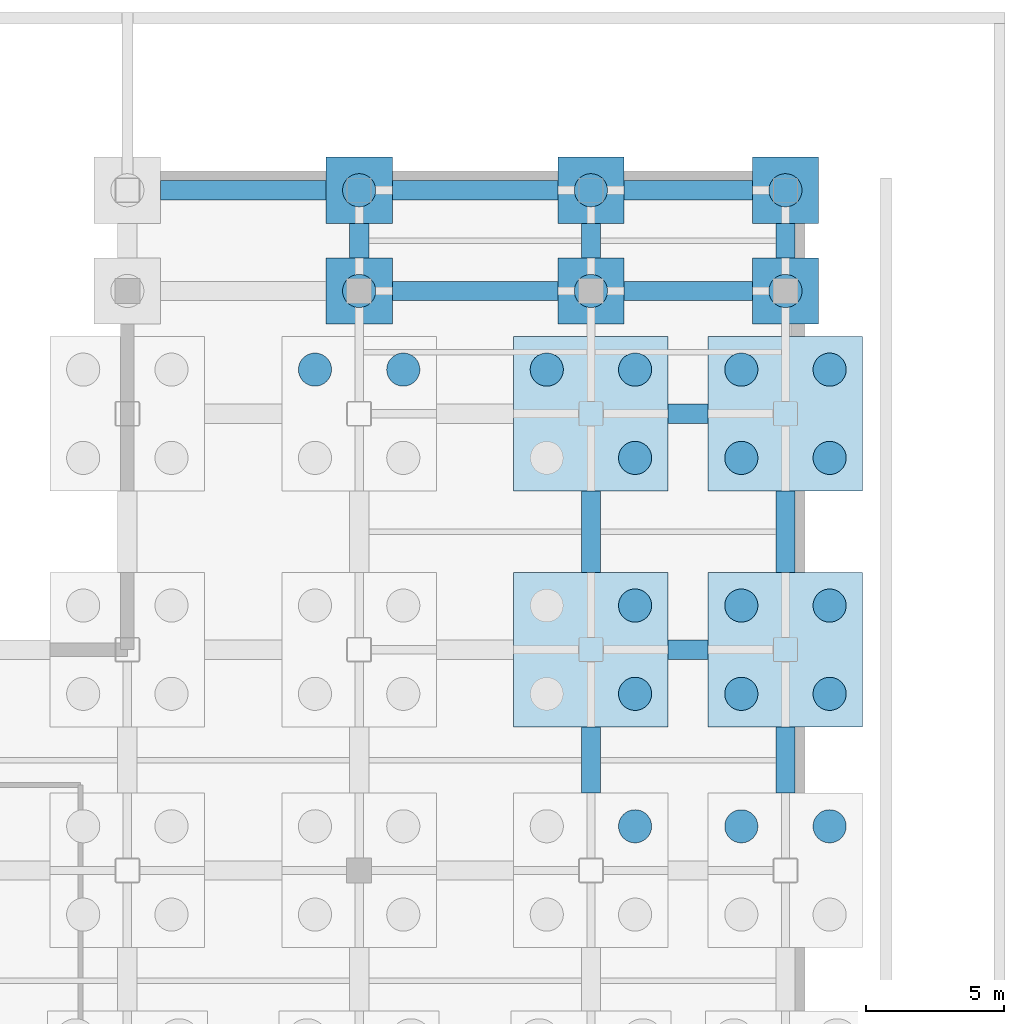
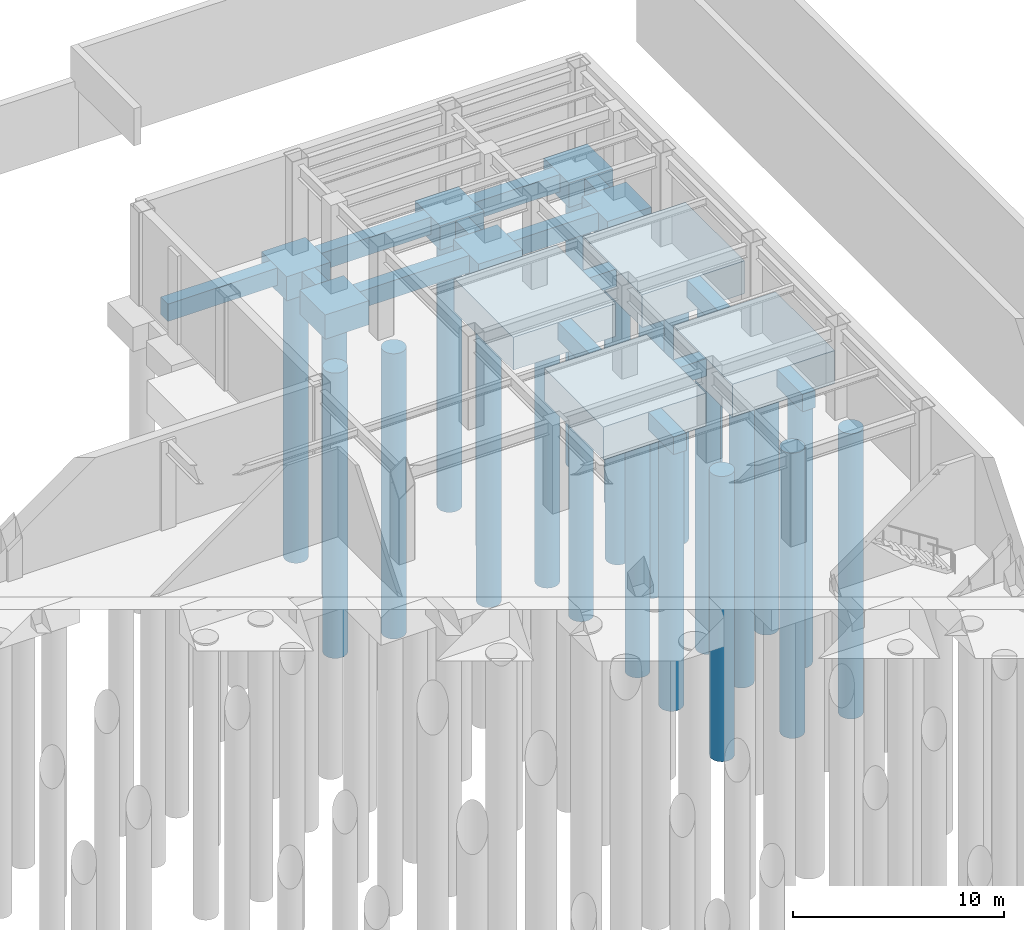
# One storey, part 14 of 55: 24 footings, 24 piles.
"""IFC4 building model written with IfcOpenShell, lengths in metres."""

import ifcopenshell
import ifcopenshell.guid

model = None  # the IFC model being written
_history = None  # IfcOwnerHistory: only IFC2X3 demands one
_inside = {}  # id of a spatial element -> (the spatial element, [elements in it])
_under = {}  # id of a project, library or spatial element -> (it, [spatial elements below it])
_declared = {}  # id of a project -> (the project, [libraries it declares])
_typed = {}  # id of a type object -> (the type object, [elements of that type])
_made_of = {}  # id of a material, layer set ... -> (it, [elements and type objects made of it])


def new_model(schema):
    """Start an empty IFC model of exactly this schema.

    Asked for "IFC4X3", IfcOpenShell would pick the latest addendum, in which some entities
    have other attributes; the version numbers below select the first issue.
    IFC2X3 requires an IfcOwnerHistory on every rooted entity: one is made here for all.
    """
    global model, _history
    if schema == "IFC4X3":
        model = ifcopenshell.file(schema_version=(4, 3, 0, 0))
    else:
        model = ifcopenshell.file(schema=schema)
    _inside.clear()
    _under.clear()
    _declared.clear()
    _typed.clear()
    _made_of.clear()
    _history = None
    if model.schema == "IFC2X3":
        org = make("IfcOrganization", Name="unknown")
        user = make(
            "IfcPersonAndOrganization",
            ThePerson=make("IfcPerson", FamilyName="unknown"),
            TheOrganization=org,
        )
        app = make(
            "IfcApplication",
            ApplicationDeveloper=org,
            Version="unknown",
            ApplicationFullName="unknown",
            ApplicationIdentifier="unknown",
        )
        _history = make(
            "IfcOwnerHistory",
            OwningUser=user,
            OwningApplication=app,
            ChangeAction="ADDED",
            CreationDate=0,
        )
    return model


def make(cls, **values):
    """One entity of the class cls with the attributes given. An attribute that is None is left unset."""
    return model.create_entity(
        cls, **{name: value for name, value in values.items() if value is not None}
    )


def rooted(cls, **values):
    """An entity with a GlobalId (a new one), such as an element, a storey or a relation."""
    return make(cls, GlobalId=ifcopenshell.guid.new(), OwnerHistory=_history, **values)


def si_unit(unit_type, name, prefix=None):
    """IfcSIUnit, for example si_unit("LENGTHUNIT", "METRE", prefix="MILLI")."""
    return make("IfcSIUnit", UnitType=unit_type, Prefix=prefix, Name=name)


def assignment(units):
    """IfcUnitAssignment: the units of a project."""
    return None if units is None else make("IfcUnitAssignment", Units=units)


def point(xyz):
    """IfcCartesianPoint."""
    return None if xyz is None else make("IfcCartesianPoint", Coordinates=xyz)


def direction(xyz):
    """IfcDirection."""
    return None if xyz is None else make("IfcDirection", DirectionRatios=xyz)


def frame(location, z_axis=None, x_axis=None):
    """IfcAxis2Placement3D, a coordinate frame: its origin and axes. An axis left out is left unset."""
    return make(
        "IfcAxis2Placement3D",
        Location=point(location),
        Axis=direction(z_axis),
        RefDirection=direction(x_axis),
    )


def frame_2d(location, x_axis=None):
    """IfcAxis2Placement2D, a coordinate frame in the plane: its origin and x axis."""
    return make(
        "IfcAxis2Placement2D", Location=point(location), RefDirection=direction(x_axis)
    )


def origin():
    """The frame at (0, 0, 0) with its axes left unset."""
    return frame((0.0, 0.0, 0.0))


def origin_2d():
    """The frame at (0, 0) in the plane with its x axis left unset."""
    return frame_2d((0.0, 0.0))


def place(relative_to, where):
    """IfcLocalPlacement: puts the frame where relative to a parent placement (None: the world)."""
    return make(
        "IfcLocalPlacement", PlacementRelTo=relative_to, RelativePlacement=where
    )


def context(
    kind, dimensions, precision=None, world=None, true_north=None, identifier=None
):
    """IfcGeometricRepresentationContext, for example the 3D "Model" context."""
    return make(
        "IfcGeometricRepresentationContext",
        ContextIdentifier=identifier,
        ContextType=kind,
        CoordinateSpaceDimension=dimensions,
        Precision=precision,
        WorldCoordinateSystem=world,
        TrueNorth=true_north,
    )


def subcontext(parent, identifier, kind, view, scale=None):
    """IfcGeometricRepresentationSubContext, for example "Body" below "Model"."""
    return make(
        "IfcGeometricRepresentationSubContext",
        ContextIdentifier=identifier,
        ContextType=kind,
        ParentContext=parent,
        TargetScale=scale,
        TargetView=view,
    )


def project(units=None, contexts=None):
    """IfcProject with its units and contexts."""
    return rooted(
        "IfcProject",
        Name="project",
        RepresentationContexts=contexts,
        UnitsInContext=assignment(units),
    )


def spatial(cls, under=None, at=None, **own):
    """A site, building, storey or space (cls), placed at a placement, below another one or the project."""
    s = rooted(cls, ObjectPlacement=at, **own)
    if under is not None:
        _under.setdefault(under.id(), (under, []))[1].append(s)
    return s


def profile(cls, at=None, kind="AREA", **sizes):
    """A parametric profile (cls). Its sizes go by their IFC names, for example OverallWidth=200.0."""
    return make(cls, ProfileType=kind, Position=at, **sizes)


def rectangle(**sizes):
    """IfcRectangleProfileDef."""
    return profile("IfcRectangleProfileDef", **sizes)


def circle(**sizes):
    """IfcCircleProfileDef."""
    return profile("IfcCircleProfileDef", **sizes)


def extrude(swept, where, along, depth):
    """IfcExtrudedAreaSolid: the profile swept, set in the frame where, extruded along a direction by depth."""
    return make(
        "IfcExtrudedAreaSolid",
        SweptArea=swept,
        Position=where,
        ExtrudedDirection=direction(along),
        Depth=depth,
    )


def shape(context_of_items, identifier, shape_type, items):
    """IfcShapeRepresentation: the items that make up one representation, for example the "Body"."""
    return make(
        "IfcShapeRepresentation",
        ContextOfItems=context_of_items,
        RepresentationIdentifier=identifier,
        RepresentationType=shape_type,
        Items=items,
    )


def material(Name=None, Category=None):
    """IfcMaterial."""
    return make("IfcMaterial", Name=Name, Category=Category)


def layer(
    of_material, thickness, ventilated=None, Name=None, Category=None, Priority=None
):
    """IfcMaterialLayer: one layer of a wall or slab, of a material (None: an air gap)."""
    return make(
        "IfcMaterialLayer",
        Material=of_material,
        LayerThickness=thickness,
        IsVentilated=ventilated,
        Name=Name,
        Category=Category,
        Priority=Priority,
    )


def layer_set(layers, Name=None):
    """IfcMaterialLayerSet."""
    return make("IfcMaterialLayerSet", MaterialLayers=layers, LayerSetName=Name)


def material_profile(
    of_material, cross_section, Name=None, Category=None, Priority=None
):
    """IfcMaterialProfile: a cross section and its material."""
    return make(
        "IfcMaterialProfile",
        Name=Name,
        Material=of_material,
        Profile=cross_section,
        Priority=Priority,
        Category=Category,
    )


def profile_set(profiles, Name=None, composite=None):
    """IfcMaterialProfileSet."""
    return make(
        "IfcMaterialProfileSet",
        Name=Name,
        MaterialProfiles=profiles,
        CompositeProfile=composite,
    )


def made_of(thing, what):
    """Note that an element or type object is made of a material, layer set ...; save() writes the relation."""
    if what is not None:
        _made_of.setdefault(what.id(), (what, []))[1].append(thing)
    return thing


def type_object(cls, material=None, **own):
    """A type object (cls), such as IfcWallType, which elements share."""
    return made_of(rooted(cls, **own), material)


def element(
    cls,
    number,
    at=None,
    inside=None,
    cuts=None,
    type_object=None,
    material=None,
    context=None,
    identifier="Body",
    shape_type=None,
    held_by="IfcProductDefinitionShape",
    body=None,
    shapes=None,
    **own,
):
    """One element of the class cls, such as IfcWall. Its Tag is "e" and its number.

    at: its placement. inside: the storey or other place that contains it. cuts: it is an
    opening in that element (IfcRelVoidsElement). A single representation is given by context,
    identifier, shape_type and body (its items); several are given by shapes. held_by: the class
    of the entity that holds the representations. save() writes the other relations.
    """
    e = rooted(cls, Tag="e%d" % number, ObjectPlacement=at, **own)
    if body is not None:
        shapes = [shape(context, identifier, shape_type, body)]
    if shapes is not None:
        e.Representation = make(held_by, Representations=shapes)
    if inside is not None:
        _inside.setdefault(inside.id(), (inside, []))[1].append(e)
    if cuts is not None:
        rooted(
            "IfcRelVoidsElement", RelatingBuildingElement=cuts, RelatedOpeningElement=e
        )
    if type_object is not None:
        _typed.setdefault(type_object.id(), (type_object, []))[1].append(e)
    return made_of(e, material)


def aggregate(whole, parts):
    """IfcRelAggregates: a whole, such as a stair, and the parts it consists of."""
    return rooted("IfcRelAggregates", RelatingObject=whole, RelatedObjects=parts)


def save(model, path):
    """Write the relations noted so far, then the file.

    IfcRelAggregates (storeys below a building ...), IfcRelContainedInSpatialStructure (elements
    in a storey), IfcRelDefinesByType, IfcRelAssociatesMaterial and IfcRelDeclares: one each for
    every whole, place, type object, material and project.
    """
    for whole, parts in _under.values():
        aggregate(whole, parts)
    for where, things in _inside.values():
        rooted(
            "IfcRelContainedInSpatialStructure",
            RelatedElements=things,
            RelatingStructure=where,
        )
    for kind, things in _typed.values():
        rooted("IfcRelDefinesByType", RelatedObjects=things, RelatingType=kind)
    for what, things in _made_of.values():
        rooted("IfcRelAssociatesMaterial", RelatedObjects=things, RelatingMaterial=what)
    for by, libraries in _declared.values():
        rooted("IfcRelDeclares", RelatingContext=by, RelatedDefinitions=libraries)
    model.write(path)


model = new_model("IFC4")

# Units and contexts
model_context = context("Model", 3, precision=1e-05, world=origin(), true_north=direction((0.0, 1.0)))
body_context = subcontext(model_context, "Body", "Model", "MODEL_VIEW")
ifc_project = project(units=[si_unit("LENGTHUNIT", "METRE"), si_unit("AREAUNIT", "SQUARE_METRE"), si_unit("VOLUMEUNIT", "CUBIC_METRE"), si_unit("PLANEANGLEUNIT", "RADIAN"), si_unit("MASSUNIT", "GRAM", prefix="KILO")], contexts=[model_context])

# Site, building, storey
site_placement = place(None, origin())
site = spatial("IfcSite", under=ifc_project, at=site_placement, CompositionType="ELEMENT")
building_placement = place(site_placement, origin())
building = spatial("IfcBuilding", under=site, at=building_placement, Name="Kazehara Bluff Congress Hotel", CompositionType="ELEMENT")
storey_placement = place(building_placement, frame((0.0, 0.0, -5.39990234375)))
storey = spatial("IfcBuildingStorey", under=building, at=storey_placement, Name="B1", CompositionType="ELEMENT", Elevation=-5.39990234375)

# Footings
ifc_material_1 = material(Name="Concrete C36/45", Category="concrete")
ifc_material_profile_1 = material_profile(ifc_material_1, rectangle(XDim=0.699951171875, YDim=1.0, at=origin_2d()))
ifc_profile_set_1 = profile_set([ifc_material_profile_1], Name="Concrete C36/45")
footing_type_1 = type_object("IfcFootingType", Name="TP-FB-02", PredefinedType="FOOTING_BEAM", material=ifc_profile_set_1)
for number, where, z_axis, x_axis, name in (
    (1, (163.300048828125, 96.89990234375, -1.0), (1.0, 0.0, 0.0), (0.0, 1.0, 0.0), "Foundation tie beam FB-02 217"),
    (2, (163.300048828125, 105.449951171875, -1.0), (1.0, 0.0, 0.0), (0.0, 1.0, 0.0), "Foundation tie beam FB-02 231"),
):
    element("IfcFooting", number, at=place(storey_placement, frame(where, z_axis=z_axis, x_axis=x_axis)), inside=storey, type_object=footing_type_1, Name=name, PredefinedType="FOOTING_BEAM", context=body_context, shape_type="SweptSolid", body=[
        extrude(rectangle(XDim=0.699951171875, YDim=1.0, at=origin_2d()), origin(), (0.0, 0.0, 1.0), 1.449951171875),
    ])
footing_1_placement = place(storey_placement, frame((153.300048828125, 109.89990234375, -1.0), z_axis=(1.0, 0.0, 0.0), x_axis=(0.0, 1.0, 0.0)))
element("IfcFooting", 3, at=footing_1_placement, inside=storey, type_object=footing_type_1, Name="Foundation tie beam FB-02 241", PredefinedType="FOOTING_BEAM", context=body_context, shape_type="SweptSolid", body=[
    extrude(rectangle(XDim=0.699951171875, YDim=1.0, at=origin_2d()), origin(), (0.0, 0.0, 1.0), 6.0),
])
footing_2_placement = place(storey_placement, frame((161.699951171875, 109.89990234375, -1.0), z_axis=(1.0, 0.0, 0.0), x_axis=(0.0, 1.0, 0.0)))
element("IfcFooting", 4, at=footing_2_placement, inside=storey, type_object=footing_type_1, Name="Foundation tie beam FB-02 242", PredefinedType="FOOTING_BEAM", context=body_context, shape_type="SweptSolid", body=[
    extrude(rectangle(XDim=0.699951171875, YDim=1.0, at=origin_2d()), origin(), (0.0, 0.0, 1.0), 4.650146484375),
])
for number, where, z_axis, x_axis, name in (
    (5, (144.89990234375, 113.550048828125, -1.0), (1.0, 0.0, 0.0), (0.0, 1.0, 0.0), "Foundation tie beam FB-02 246"),
    (6, (153.300048828125, 113.550048828125, -1.0), (1.0, 0.0, 0.0), (0.0, 1.0, 0.0), "Foundation tie beam FB-02 247"),
):
    element("IfcFooting", number, at=place(storey_placement, frame(where, z_axis=z_axis, x_axis=x_axis)), inside=storey, type_object=footing_type_1, Name=name, PredefinedType="FOOTING_BEAM", context=body_context, shape_type="SweptSolid", body=[
        extrude(rectangle(XDim=0.699951171875, YDim=1.0, at=origin_2d()), origin(), (0.0, 0.0, 1.0), 6.0),
    ])
footing_3_placement = place(storey_placement, frame((161.699951171875, 113.550048828125, -1.0), z_axis=(1.0, 0.0, 0.0), x_axis=(0.0, 1.0, 0.0)))
element("IfcFooting", 7, at=footing_3_placement, inside=storey, type_object=footing_type_1, Name="Foundation tie beam FB-02 248", PredefinedType="FOOTING_BEAM", context=body_context, shape_type="SweptSolid", body=[
    extrude(rectangle(XDim=0.699951171875, YDim=1.0, at=origin_2d()), origin(), (0.0, 0.0, 1.0), 4.650146484375),
])
footing_4_placement = place(storey_placement, frame((152.10009765625, 111.10009765625, -1.0), z_axis=(0.0, 1.0, 0.0), x_axis=(-1.0, 0.0, 0.0)))
element("IfcFooting", 8, at=footing_4_placement, inside=storey, type_object=footing_type_1, Name="Foundation tie beam FB-02 472", PredefinedType="FOOTING_BEAM", context=body_context, shape_type="SweptSolid", body=[
    extrude(rectangle(XDim=0.699951171875, YDim=1.0, at=origin_2d()), origin(), (0.0, 0.0, 1.0), 1.25),
])
footing_5_placement = place(storey_placement, frame((160.5, 91.699951171875, -1.0), z_axis=(0.0, 1.0, 0.0), x_axis=(-1.0, 0.0, 0.0)))
element("IfcFooting", 9, at=footing_5_placement, inside=storey, type_object=footing_type_1, Name="Foundation tie beam FB-02 484", PredefinedType="FOOTING_BEAM", context=body_context, shape_type="SweptSolid", body=[
    extrude(rectangle(XDim=0.699951171875, YDim=1.0, at=origin_2d()), origin(), (0.0, 0.0, 1.0), 2.400146484375),
])
footing_6_placement = place(storey_placement, frame((160.5, 99.699951171875, -1.0), z_axis=(0.0, 1.0, 0.0), x_axis=(-1.0, 0.0, 0.0)))
element("IfcFooting", 10, at=footing_6_placement, inside=storey, type_object=footing_type_1, Name="Foundation tie beam FB-02 485", PredefinedType="FOOTING_BEAM", context=body_context, shape_type="SweptSolid", body=[
    extrude(rectangle(XDim=0.699951171875, YDim=1.0, at=origin_2d()), origin(), (0.0, 0.0, 1.0), 2.949951171875),
])
footing_7_placement = place(storey_placement, frame((160.5, 111.10009765625, -1.0), z_axis=(0.0, 1.0, 0.0), x_axis=(-1.0, 0.0, 0.0)))
element("IfcFooting", 11, at=footing_7_placement, inside=storey, type_object=footing_type_1, Name="Foundation tie beam FB-02 486", PredefinedType="FOOTING_BEAM", context=body_context, shape_type="SweptSolid", body=[
    extrude(rectangle(XDim=0.699951171875, YDim=1.0, at=origin_2d()), origin(), (0.0, 0.0, 1.0), 1.25),
])
footing_8_placement = place(storey_placement, frame((167.550048828125, 91.699951171875, -1.0), z_axis=(0.0, 1.0, 0.0), x_axis=(-1.0, 0.0, 0.0)))
element("IfcFooting", 12, at=footing_8_placement, inside=storey, type_object=footing_type_1, Name="Foundation tie beam FB-02 498", PredefinedType="FOOTING_BEAM", context=body_context, shape_type="SweptSolid", body=[
    extrude(rectangle(XDim=0.699951171875, YDim=1.0, at=origin_2d()), origin(), (0.0, 0.0, 1.0), 2.400146484375),
])
footing_9_placement = place(storey_placement, frame((167.550048828125, 99.699951171875, -1.0), z_axis=(0.0, 1.0, 0.0), x_axis=(-1.0, 0.0, 0.0)))
element("IfcFooting", 13, at=footing_9_placement, inside=storey, type_object=footing_type_1, Name="Foundation tie beam FB-02 499", PredefinedType="FOOTING_BEAM", context=body_context, shape_type="SweptSolid", body=[
    extrude(rectangle(XDim=0.699951171875, YDim=1.0, at=origin_2d()), origin(), (0.0, 0.0, 1.0), 2.949951171875),
])
footing_10_placement = place(storey_placement, frame((167.550048828125, 111.10009765625, -1.0), z_axis=(0.0, 1.0, 0.0), x_axis=(-1.0, 0.0, 0.0)))
element("IfcFooting", 14, at=footing_10_placement, inside=storey, type_object=footing_type_1, Name="Foundation tie beam FB-02 500", PredefinedType="FOOTING_BEAM", context=body_context, shape_type="SweptSolid", body=[
    extrude(rectangle(XDim=0.699951171875, YDim=1.0, at=origin_2d()), origin(), (0.0, 0.0, 1.0), 1.25),
])
ifc_material_2 = material(Name="Concrete C36/45", Category="concrete")
ifc_layer_1 = layer(ifc_material_2, 1.39990234375)
ifc_layer_set_1 = layer_set([ifc_layer_1], Name="Concrete C36/45")
footing_type_2 = type_object("IfcFootingType", Name="TP-PC-01", PredefinedType="PILE_CAP", material=ifc_layer_set_1)
for number, where, z_axis, x_axis, name in (
    (15, (152.10009765625, 109.89990234375, -1.900146484375), (0.0, 0.0, 1.0), (1.0, 0.0, 0.0), "Pile cap PC-01 262"),
    (16, (152.10009765625, 113.550048828125, -1.900146484375), (0.0, 0.0, 1.0), (1.0, 0.0, 0.0), "Pile cap PC-01 263"),
    (17, (160.5, 109.89990234375, -1.900146484375), (0.0, 0.0, 1.0), (1.0, 0.0, 0.0), "Pile cap PC-01 278"),
    (18, (160.5, 113.550048828125, -1.900146484375), (0.0, 0.0, 1.0), (1.0, 0.0, 0.0), "Pile cap PC-01 279"),
    (19, (167.550048828125, 109.89990234375, -1.900146484375), (0.0, 0.0, 1.0), (1.0, 0.0, 0.0), "Pile cap PC-01 294"),
    (20, (167.550048828125, 113.550048828125, -1.900146484375), (0.0, 0.0, 1.0), (1.0, 0.0, 0.0), "Pile cap PC-01 295"),
):
    element("IfcFooting", number, at=place(storey_placement, frame(where, z_axis=z_axis, x_axis=x_axis)), inside=storey, type_object=footing_type_2, Name=name, PredefinedType="PILE_CAP", context=body_context, shape_type="SweptSolid", body=[
        extrude(rectangle(XDim=2.39990234375, YDim=2.39990234375, at=origin_2d()), origin(), (0.0, 0.0, 1.0), 1.39990234375),
    ])
ifc_material_3 = material(Name="Concrete C36/45", Category="concrete")
ifc_layer_2 = layer(ifc_material_3, 1.89990234375)
ifc_layer_set_2 = layer_set([ifc_layer_2], Name="Concrete C36/45")
footing_type_3 = type_object("IfcFootingType", Name="TP-PC-09", PredefinedType="PILE_CAP", material=ifc_layer_set_2)
for number, where, z_axis, x_axis, name in (
    (21, (160.5, 96.89990234375, -2.400146484375), (0.0, 0.0, 1.0), (1.0, 0.0, 0.0), "Pile cap PC-09 276"),
    (22, (160.5, 105.449951171875, -2.400146484375), (0.0, 0.0, 1.0), (1.0, 0.0, 0.0), "Pile cap PC-09 277"),
    (23, (167.550048828125, 96.89990234375, -2.400146484375), (0.0, 0.0, 1.0), (1.0, 0.0, 0.0), "Pile cap PC-09 292"),
    (24, (167.550048828125, 105.449951171875, -2.400146484375), (0.0, 0.0, 1.0), (1.0, 0.0, 0.0), "Pile cap PC-09 293"),
):
    element("IfcFooting", number, at=place(storey_placement, frame(where, z_axis=z_axis, x_axis=x_axis)), inside=storey, type_object=footing_type_3, Name=name, PredefinedType="PILE_CAP", context=body_context, shape_type="SweptSolid", body=[
        extrude(rectangle(XDim=5.60009765625, YDim=5.60009765625, at=origin_2d()), origin(), (0.0, 0.0, 1.0), 1.89990234375),
    ])

# Piles
ifc_material_4 = material(Name="Concrete C36/45", Category="concrete")
ifc_material_profile_2 = material_profile(ifc_material_4, circle(Radius=0.60009765625, at=origin_2d()))
ifc_profile_set_2 = profile_set([ifc_material_profile_2], Name="Concrete C36/45")
pile_type = type_object("IfcPileType", Name="TP-PILE-1200", PredefinedType="BORED", material=ifc_profile_set_2)
for number, where, z_axis, x_axis, name in (
    (25, (150.5, 107.050048828125, -2.300048828125), (0.0, 0.0, -1.0), (1.0, 0.0, 0.0), "Bored pile FND-PC-261-P3"),
    (26, (153.699951171875, 107.050048828125, -2.300048828125), (0.0, 0.0, -1.0), (1.0, 0.0, 0.0), "Bored pile FND-PC-261-P4"),
):
    element("IfcPile", number, at=place(storey_placement, frame(where, z_axis=z_axis, x_axis=x_axis)), inside=storey, type_object=pile_type, Name=name, PredefinedType="BORED", context=body_context, shape_type="SweptSolid", body=[
        extrude(circle(Radius=0.60009765625, at=origin_2d()), origin(), (0.0, 0.0, 1.0), 16.5),
    ])
for number, where, z_axis, x_axis, name in (
    (27, (152.10009765625, 109.89990234375, -1.800048828125), (0.0, 0.0, -1.0), (1.0, 0.0, 0.0), "Bored pile FND-PC-262-P1"),
    (28, (152.10009765625, 113.550048828125, -1.800048828125), (0.0, 0.0, -1.0), (1.0, 0.0, 0.0), "Bored pile FND-PC-263-P1"),
):
    element("IfcPile", number, at=place(storey_placement, frame(where, z_axis=z_axis, x_axis=x_axis)), inside=storey, type_object=pile_type, Name=name, PredefinedType="BORED", context=body_context, shape_type="SweptSolid", body=[
        extrude(circle(Radius=0.60009765625, at=origin_2d()), origin(), (0.0, 0.0, 1.0), 16.0),
    ])
for number, where, z_axis, x_axis, name in (
    (29, (162.10009765625, 90.5, -2.300048828125), (0.0, 0.0, -1.0), (1.0, 0.0, 0.0), "Bored pile FND-PC-275-P4"),
    (30, (162.10009765625, 95.300048828125, -2.300048828125), (0.0, 0.0, -1.0), (1.0, 0.0, 0.0), "Bored pile FND-PC-276-P2"),
    (31, (162.10009765625, 98.5, -2.300048828125), (0.0, 0.0, -1.0), (1.0, 0.0, 0.0), "Bored pile FND-PC-276-P4"),
    (32, (162.10009765625, 103.85009765625, -2.300048828125), (0.0, 0.0, -1.0), (1.0, 0.0, 0.0), "Bored pile FND-PC-277-P2"),
    (33, (158.89990234375, 107.050048828125, -2.300048828125), (0.0, 0.0, -1.0), (1.0, 0.0, 0.0), "Bored pile FND-PC-277-P3"),
    (34, (162.10009765625, 107.050048828125, -2.300048828125), (0.0, 0.0, -1.0), (1.0, 0.0, 0.0), "Bored pile FND-PC-277-P4"),
):
    element("IfcPile", number, at=place(storey_placement, frame(where, z_axis=z_axis, x_axis=x_axis)), inside=storey, type_object=pile_type, Name=name, PredefinedType="BORED", context=body_context, shape_type="SweptSolid", body=[
        extrude(circle(Radius=0.60009765625, at=origin_2d()), origin(), (0.0, 0.0, 1.0), 16.5),
    ])
for number, where, z_axis, x_axis, name in (
    (35, (160.5, 109.89990234375, -1.800048828125), (0.0, 0.0, -1.0), (1.0, 0.0, 0.0), "Bored pile FND-PC-278-P1"),
    (36, (160.5, 113.550048828125, -1.800048828125), (0.0, 0.0, -1.0), (1.0, 0.0, 0.0), "Bored pile FND-PC-279-P1"),
):
    element("IfcPile", number, at=place(storey_placement, frame(where, z_axis=z_axis, x_axis=x_axis)), inside=storey, type_object=pile_type, Name=name, PredefinedType="BORED", context=body_context, shape_type="SweptSolid", body=[
        extrude(circle(Radius=0.60009765625, at=origin_2d()), origin(), (0.0, 0.0, 1.0), 16.0),
    ])
for number, where, z_axis, x_axis, name in (
    (37, (165.949951171875, 90.5, -2.300048828125), (0.0, 0.0, -1.0), (1.0, 0.0, 0.0), "Bored pile FND-PC-291-P3"),
    (38, (169.14990234375, 90.5, -2.300048828125), (0.0, 0.0, -1.0), (1.0, 0.0, 0.0), "Bored pile FND-PC-291-P4"),
    (39, (165.949951171875, 95.300048828125, -2.300048828125), (0.0, 0.0, -1.0), (1.0, 0.0, 0.0), "Bored pile FND-PC-292-P1"),
    (40, (169.14990234375, 95.300048828125, -2.300048828125), (0.0, 0.0, -1.0), (1.0, 0.0, 0.0), "Bored pile FND-PC-292-P2"),
    (41, (165.949951171875, 98.5, -2.300048828125), (0.0, 0.0, -1.0), (1.0, 0.0, 0.0), "Bored pile FND-PC-292-P3"),
    (42, (169.14990234375, 98.5, -2.300048828125), (0.0, 0.0, -1.0), (1.0, 0.0, 0.0), "Bored pile FND-PC-292-P4"),
    (43, (165.949951171875, 103.85009765625, -2.300048828125), (0.0, 0.0, -1.0), (1.0, 0.0, 0.0), "Bored pile FND-PC-293-P1"),
    (44, (169.14990234375, 103.85009765625, -2.300048828125), (0.0, 0.0, -1.0), (1.0, 0.0, 0.0), "Bored pile FND-PC-293-P2"),
    (45, (165.949951171875, 107.050048828125, -2.300048828125), (0.0, 0.0, -1.0), (1.0, 0.0, 0.0), "Bored pile FND-PC-293-P3"),
    (46, (169.14990234375, 107.050048828125, -2.300048828125), (0.0, 0.0, -1.0), (1.0, 0.0, 0.0), "Bored pile FND-PC-293-P4"),
):
    element("IfcPile", number, at=place(storey_placement, frame(where, z_axis=z_axis, x_axis=x_axis)), inside=storey, type_object=pile_type, Name=name, PredefinedType="BORED", context=body_context, shape_type="SweptSolid", body=[
        extrude(circle(Radius=0.60009765625, at=origin_2d()), origin(), (0.0, 0.0, 1.0), 16.5),
    ])
for number, where, z_axis, x_axis, name in (
    (47, (167.550048828125, 109.89990234375, -1.800048828125), (0.0, 0.0, -1.0), (1.0, 0.0, 0.0), "Bored pile FND-PC-294-P1"),
    (48, (167.550048828125, 113.550048828125, -1.800048828125), (0.0, 0.0, -1.0), (1.0, 0.0, 0.0), "Bored pile FND-PC-295-P1"),
):
    element("IfcPile", number, at=place(storey_placement, frame(where, z_axis=z_axis, x_axis=x_axis)), inside=storey, type_object=pile_type, Name=name, PredefinedType="BORED", context=body_context, shape_type="SweptSolid", body=[
        extrude(circle(Radius=0.60009765625, at=origin_2d()), origin(), (0.0, 0.0, 1.0), 16.0),
    ])

save(model, "model.ifc")
